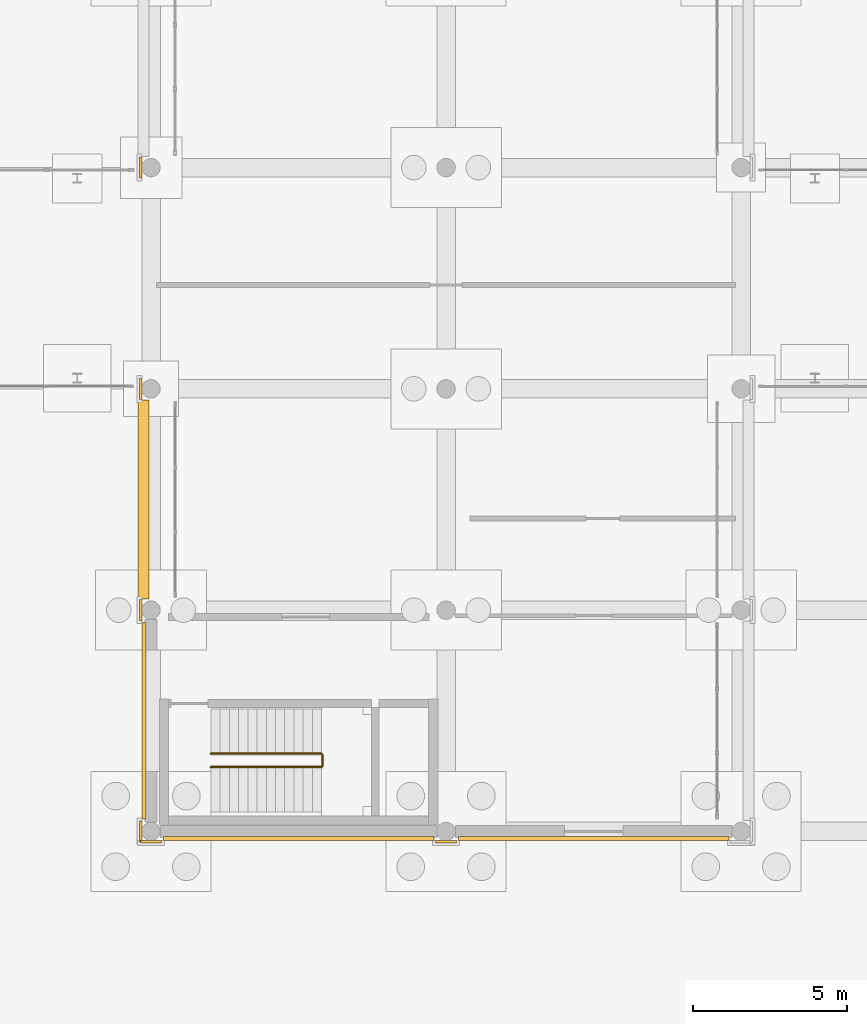
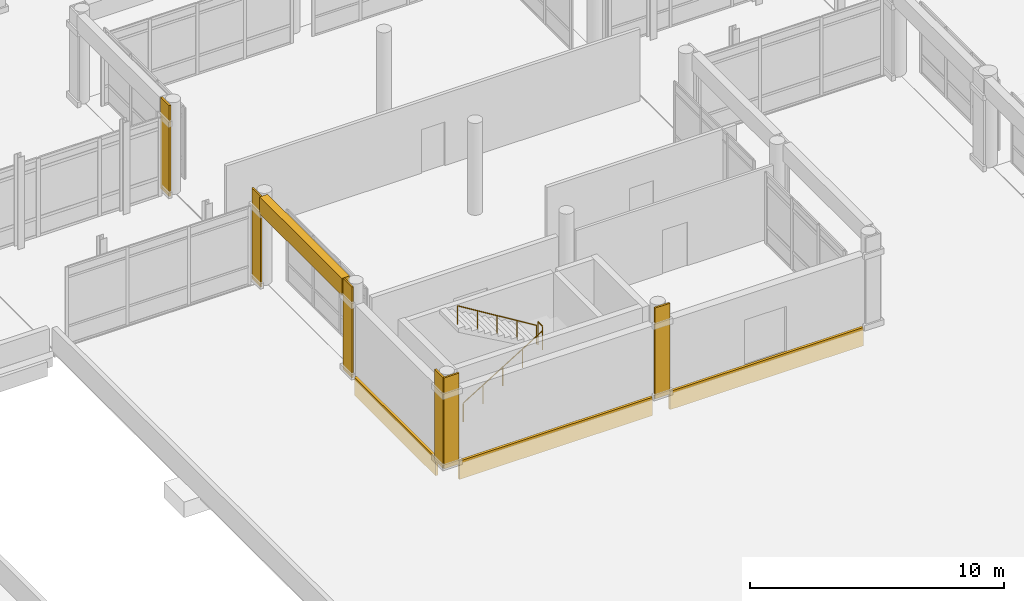
# One storey, part 178 of 196: 10 coverings, 3 railings.
"""IFC4 building model written with IfcOpenShell, lengths in metres."""

from ifc_helpers import new_model, si_unit, direction, frame, origin, origin_2d, place, context, subcontext, project, spatial, rectangle, circle, extrude, material, layer, layer_set, type_object, element, save


model = new_model("IFC4")

# Units and contexts
model_context = context("Model", 3, precision=1e-05, world=origin(), true_north=direction((0.0, 1.0)))
body_context = subcontext(model_context, "Body", "Model", "MODEL_VIEW")
ifc_project = project(units=[si_unit("LENGTHUNIT", "METRE"), si_unit("AREAUNIT", "SQUARE_METRE"), si_unit("VOLUMEUNIT", "CUBIC_METRE"), si_unit("PLANEANGLEUNIT", "RADIAN"), si_unit("MASSUNIT", "GRAM", prefix="KILO")], contexts=[model_context])

# Site, building, storey
site_placement = place(None, origin())
site = spatial("IfcSite", under=ifc_project, at=site_placement, CompositionType="ELEMENT")
building_placement = place(site_placement, origin())
building = spatial("IfcBuilding", under=site, at=building_placement, Name="Asteropetra Specialist Clinic", CompositionType="ELEMENT")
storey_placement = place(building_placement, origin())
storey = spatial("IfcBuildingStorey", under=building, at=storey_placement, Name="L00", CompositionType="ELEMENT", Elevation=0.0)

# Coverings
ifc_material_1 = material(Name="Pentelic marble ashlar", Category="masonry")
ifc_layer = layer(ifc_material_1, 0.159912109375)
ifc_layer_set = layer_set([ifc_layer], Name="Pentelic marble ashlar")
covering_type = type_object("IfcCoveringType", Name="CRN-ENTAB-600", PredefinedType="MOLDING", material=ifc_layer_set)
covering_1_placement = place(storey_placement, frame((76.56005859375, 44.39990234375, 3.58984375), z_axis=(0.0, 0.0, 1.0), x_axis=(1.0, 0.0, 0.0)))
element("IfcCovering", 1, at=covering_1_placement, inside=storey, type_object=covering_type, Name="Stoa Classical Entablature SE-0049", PredefinedType="MOLDING", context=body_context, shape_type="SweptSolid", body=[
    extrude(rectangle(XDim=0.360107421875, YDim=6.47998046875, at=origin_2d()), origin(), (0.0, 0.0, 1.0), 0.820068359375),
])
covering_2_placement = place(storey_placement, frame((76.800048828125, 33.26806640625, 0.02001953125), z_axis=(0.0, 0.0, 1.0), x_axis=(1.0, 0.0, 0.0)))
element("IfcCovering", 2, at=covering_2_placement, inside=storey, type_object=covering_type, Name="Neoclassical Pilaster Facing CM-0379", PredefinedType="MOLDING", context=body_context, shape_type="SweptSolid", body=[
    extrude(rectangle(XDim=0.679931640625, YDim=0.080078125, at=origin_2d()), origin(), (0.0, 0.0, 1.0), 4.3798828125),
])
for number, where, z_axis, x_axis, name in (
    (3, (76.468017578125, 33.60009765625, 0.02001953125), (0.0, 0.0, 1.0), (1.0, 0.0, 0.0), "Neoclassical Pilaster Facing CM-0382"),
    (4, (76.468017578125, 40.800048828125, 0.02001953125), (0.0, 0.0, 1.0), (1.0, 0.0, 0.0), "Neoclassical Pilaster Facing CM-0385"),
    (5, (76.468017578125, 48.0, 0.02001953125), (0.0, 0.0, 1.0), (1.0, 0.0, 0.0), "Neoclassical Pilaster Facing CM-0388"),
    (6, (76.468017578125, 55.199951171875, 0.02001953125), (0.0, 0.0, 1.0), (1.0, 0.0, 0.0), "Neoclassical Pilaster Facing CM-0391"),
):
    element("IfcCovering", number, at=place(storey_placement, frame(where, z_axis=z_axis, x_axis=x_axis)), inside=storey, type_object=covering_type, Name=name, PredefinedType="MOLDING", context=body_context, shape_type="SweptSolid", body=[
        extrude(rectangle(XDim=0.080078125, YDim=0.679931640625, at=origin_2d()), origin(), (0.0, 0.0, 1.0), 4.3798828125),
    ])
covering_3_placement = place(storey_placement, frame((86.39990234375, 33.26806640625, 0.02001953125), z_axis=(0.0, 0.0, 1.0), x_axis=(1.0, 0.0, 0.0)))
element("IfcCovering", 7, at=covering_3_placement, inside=storey, type_object=covering_type, Name="Neoclassical Pilaster Facing CM-0400", PredefinedType="MOLDING", context=body_context, shape_type="SweptSolid", body=[
    extrude(rectangle(XDim=0.679931640625, YDim=0.080078125, at=origin_2d()), origin(), (0.0, 0.0, 1.0), 4.3798828125),
])
for number, where, z_axis, x_axis, name in (
    (8, (81.60009765625, 33.3701171875, -0.800048828125), (0.0, 0.0, 1.0), (1.0, 0.0, 0.0), "Chevron Spandrel Band CV-1369"),
    (9, (91.199951171875, 33.3701171875, -0.800048828125), (0.0, 0.0, 1.0), (1.0, 0.0, 0.0), "Chevron Spandrel Band CV-1370"),
):
    element("IfcCovering", number, at=place(storey_placement, frame(where, z_axis=z_axis, x_axis=x_axis)), inside=storey, type_object=covering_type, Name=name, PredefinedType="MOLDING", context=body_context, shape_type="SweptSolid", body=[
        extrude(rectangle(XDim=8.800048828125, YDim=0.1201171875, at=origin_2d()), origin(), (0.0, 0.0, 1.0), 0.8798828125),
    ])
covering_4_placement = place(storey_placement, frame((76.570068359375, 37.199951171875, -0.800048828125), z_axis=(0.0, 0.0, 1.0), x_axis=(1.0, 0.0, 0.0)))
element("IfcCovering", 10, at=covering_4_placement, inside=storey, type_object=covering_type, Name="Chevron Spandrel Band CV-1371", PredefinedType="MOLDING", context=body_context, shape_type="SweptSolid", body=[
    extrude(rectangle(XDim=0.1201171875, YDim=6.39990234375, at=origin_2d()), origin(), (0.0, 0.0, 1.0), 0.8798828125),
])

# Railings
ifc_material_2 = material(Name="Steel S355 and laminated glass guard", Category="steel")
railing_type_1 = type_object("IfcRailingType", Name="GRD-INT-1120", PredefinedType="GUARDRAIL", material=ifc_material_2)
railing_1_placement = place(storey_placement, frame((82.3798828125, 35.739990234375, 2.2099609375)))
element("IfcRailing", 11, at=railing_1_placement, inside=storey, type_object=railing_type_1, Name="Landing Slot Guard ST13-L00", PredefinedType="GUARDRAIL", context=body_context, shape_type="SweptSolid", body=[
    extrude(circle(Radius=0.02392578125, at=origin_2d()), frame((0.0, 0.0, 1.09619140625), z_axis=(0.0, 1.0, 0.0), x_axis=(-1.0, 0.0, 0.0)), (0.0, 0.0, 1.0), 0.340087890625),
    extrude(circle(Radius=0.02099609375, at=origin_2d()), origin(), (0.0, 0.0, 1.0), 1.072021484375),
    extrude(circle(Radius=0.02099609375, at=origin_2d()), frame((0.0, 0.340087890625, 0.0)), (0.0, 0.0, 1.0), 1.072021484375),
])
ifc_material_3 = material(Name="Brushed stainless steel handrail", Category="steel")
railing_type_2 = type_object("IfcRailingType", Name="HRL-STAIR-920", PredefinedType="HANDRAIL", material=ifc_material_3)
railing_2_placement = place(storey_placement, frame((78.75, 35.68994140625, 0.0)))
element("IfcRailing", 12, at=railing_2_placement, inside=storey, type_object=railing_type_2, Name="Stair Handrail ST13-L00 F1", PredefinedType="HANDRAIL", context=body_context, shape_type="SweptSolid", body=[
    extrude(circle(Radius=0.02392578125, at=origin_2d()), frame((0.0, 0.0, 0.89599609375), z_axis=(0.85223722916, 0.0, 0.523155526811), x_axis=(0.0, 1.0, 0.0)), (0.0, 0.0, 1.0), 4.224365234375),
    extrude(circle(Radius=0.02099609375, at=origin_2d()), origin(), (0.0, 0.0, 1.0), 0.871826171875),
    extrude(circle(Radius=0.02099609375, at=origin_2d()), frame((0.89990234375, 0.0, 0.552490234375)), (0.0, 0.0, 1.0), 0.871826171875),
    extrude(circle(Radius=0.02099609375, at=origin_2d()), frame((1.800048828125, 0.0, 1.10498046875)), (0.0, 0.0, 1.0), 0.871826171875),
    extrude(circle(Radius=0.02099609375, at=origin_2d()), frame((2.7001953125, 0.0, 1.657470703125)), (0.0, 0.0, 1.0), 0.871826171875),
    extrude(circle(Radius=0.02099609375, at=origin_2d()), frame((3.60009765625, 0.0, 2.2099609375)), (0.0, 0.0, 1.0), 0.871826171875),
])
railing_3_placement = place(storey_placement, frame((82.35009765625, 36.1298828125, 2.2099609375)))
element("IfcRailing", 13, at=railing_3_placement, inside=storey, type_object=railing_type_2, Name="Stair Handrail ST13-L00 F2", PredefinedType="HANDRAIL", context=body_context, shape_type="SweptSolid", body=[
    extrude(circle(Radius=0.02392578125, at=origin_2d()), frame((0.0, 0.0, 0.89599609375), z_axis=(-0.85223722916, 0.0, 0.523155526811), x_axis=(0.0, -1.0, 0.0)), (0.0, 0.0, 1.0), 4.224365234375),
    extrude(circle(Radius=0.02099609375, at=origin_2d()), origin(), (0.0, 0.0, 1.0), 0.871826171875),
    extrude(circle(Radius=0.02099609375, at=origin_2d()), frame((-0.89990234375, 0.0, 0.552490234375)), (0.0, 0.0, 1.0), 0.871826171875),
    extrude(circle(Radius=0.02099609375, at=origin_2d()), frame((-1.800048828125, 0.0, 1.10498046875)), (0.0, 0.0, 1.0), 0.871826171875),
    extrude(circle(Radius=0.02099609375, at=origin_2d()), frame((-2.7001953125, 0.0, 1.657470703125)), (0.0, 0.0, 1.0), 0.871826171875),
    extrude(circle(Radius=0.02099609375, at=origin_2d()), frame((-3.60009765625, 0.0, 2.2099609375)), (0.0, 0.0, 1.0), 0.871826171875),
])

save(model, "model.ifc")
